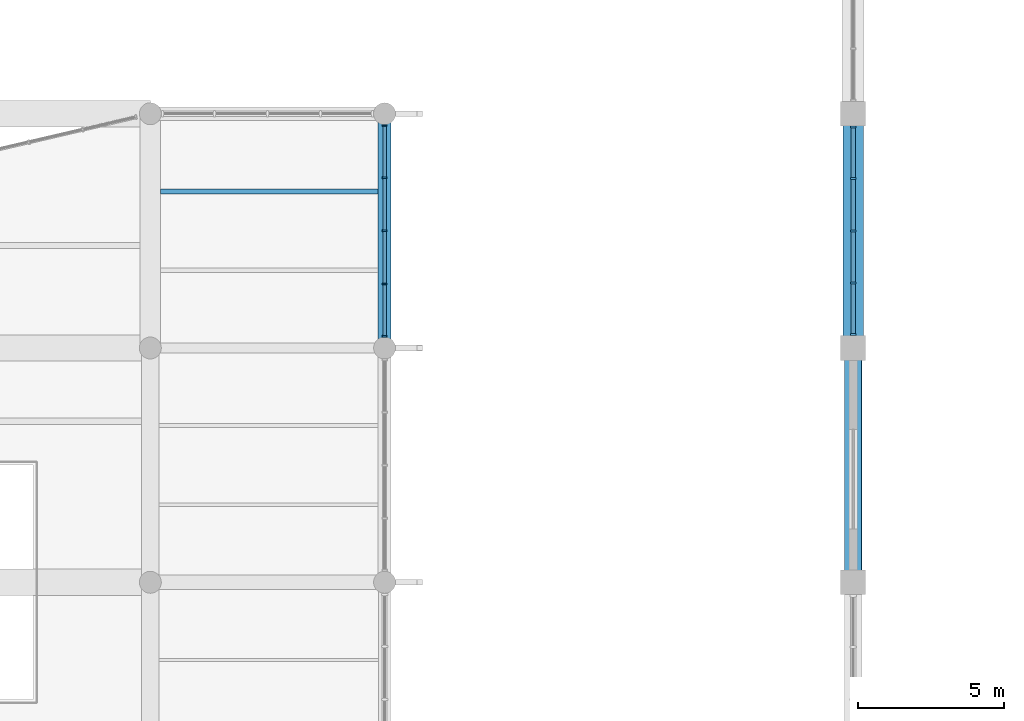
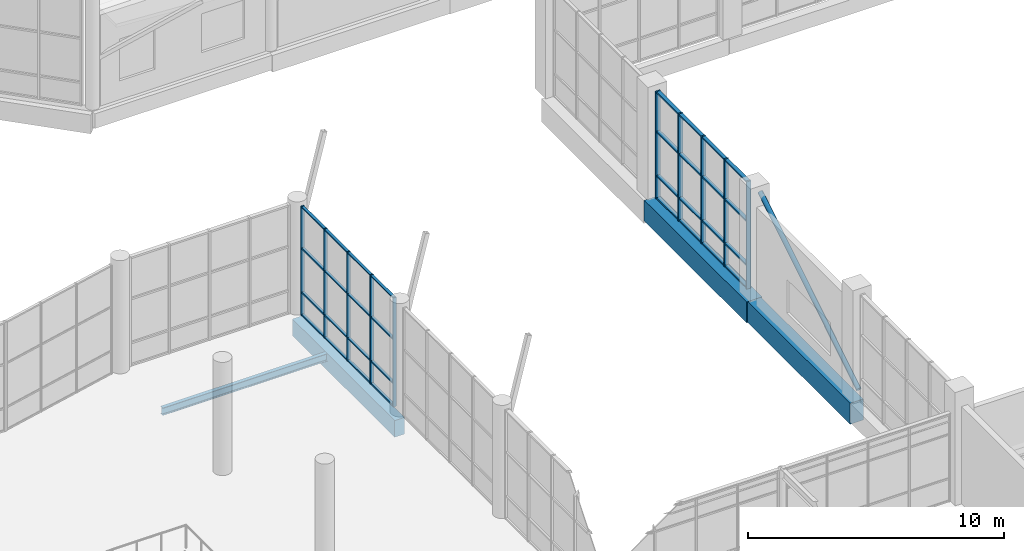
# One storey, part 31 of 122: 43 members, 4 beams, 2 elements without a shape of their own.
"""IFC4 building model written with IfcOpenShell, lengths in metres."""

from ifc_helpers import new_model, si_unit, direction, frame, origin, origin_2d, place, context, subcontext, project, spatial, rectangle, hollow_circle, i_section, extrude, material, material_profile, profile_set, type_object, element, aggregate, save


model = new_model("IFC4")

# Units and contexts
model_context = context("Model", 3, precision=1e-05, world=origin(), true_north=direction((0.0, 1.0)))
body_context = subcontext(model_context, "Body", "Model", "MODEL_VIEW")
ifc_project = project(units=[si_unit("LENGTHUNIT", "METRE"), si_unit("AREAUNIT", "SQUARE_METRE"), si_unit("VOLUMEUNIT", "CUBIC_METRE"), si_unit("PLANEANGLEUNIT", "RADIAN"), si_unit("MASSUNIT", "GRAM", prefix="KILO")], contexts=[model_context])

# Site, building, storey
site_placement = place(None, origin())
site = spatial("IfcSite", under=ifc_project, at=site_placement, CompositionType="ELEMENT")
building_placement = place(site_placement, origin())
building = spatial("IfcBuilding", under=site, at=building_placement, Name="Tenunan Teduh Sports Hall", CompositionType="ELEMENT")
storey_placement = place(building_placement, frame((0.0, 0.0, 5.39990234375)))
storey = spatial("IfcBuildingStorey", under=building, at=storey_placement, Name="L01", CompositionType="ELEMENT", Elevation=5.39990234375)

# Beams
ifc_material_1 = material(Name="Concrete C40/50", Category="concrete")
ifc_material_profile_1 = material_profile(ifc_material_1, rectangle(XDim=0.449951171875, YDim=0.800048828125, at=origin_2d()), Name="RCB 450x800")
ifc_profile_set_1 = profile_set([ifc_material_profile_1], Name="Concrete C40/50")
beam_type_1 = type_object("IfcBeamType", Name="BM-RC-450x800", PredefinedType="BEAM", material=ifc_profile_set_1)
beam_1_placement = place(storey_placement, frame((106.0, 62.0, -0.760009765625), z_axis=(0.0, 1.0, 0.0), x_axis=(-1.0, 0.0, 0.0)))
element("IfcBeam", 1, at=beam_1_placement, inside=storey, type_object=beam_type_1, Name="BM-B-12-L01-1255", PredefinedType="BEAM", context=body_context, shape_type="SweptSolid", body=[
    extrude(rectangle(XDim=0.449951171875, YDim=0.800048828125, at=origin_2d()), origin(), (0.0, 0.0, 1.0), 8.0),
])
ifc_material_2 = material(Name="Concrete C40/50", Category="concrete")
ifc_material_profile_2 = material_profile(ifc_material_2, rectangle(XDim=0.60009765625, YDim=1.0, at=origin_2d()), Name="RCB 600x1000")
ifc_profile_set_2 = profile_set([ifc_material_profile_2], Name="Concrete C40/50")
beam_type_2 = type_object("IfcBeamType", Name="BM-RC-600x1000", PredefinedType="BEAM", material=ifc_profile_set_2)
beam_2_placement = place(storey_placement, frame((122.0, 54.0, -0.760009765625), z_axis=(0.0, 1.0, 0.0), x_axis=(-1.0, 0.0, 0.0)))
element("IfcBeam", 2, at=beam_2_placement, inside=storey, type_object=beam_type_2, Name="BM-B-18-L01-1270", PredefinedType="BEAM", context=body_context, shape_type="SweptSolid", body=[
    extrude(rectangle(XDim=0.60009765625, YDim=1.0, at=origin_2d()), origin(), (0.0, 0.0, 1.0), 8.0),
])
ifc_material_3 = material(Name="Concrete C40/50", Category="concrete")
ifc_material_profile_3 = material_profile(ifc_material_3, rectangle(XDim=0.699951171875, YDim=1.0, at=origin_2d()), Name="RCB 700x1000")
ifc_profile_set_3 = profile_set([ifc_material_profile_3], Name="Concrete C40/50")
beam_type_3 = type_object("IfcBeamType", Name="BM-RC-700x1000", PredefinedType="SPANDREL", material=ifc_profile_set_3)
beam_3_placement = place(storey_placement, frame((122.0, 62.0, -0.760009765625), z_axis=(0.0, 1.0, 0.0), x_axis=(-1.0, 0.0, 0.0)))
element("IfcBeam", 3, at=beam_3_placement, inside=storey, type_object=beam_type_3, Name="BM-B-19-L01-1271", PredefinedType="SPANDREL", context=body_context, shape_type="SweptSolid", body=[
    extrude(rectangle(XDim=0.699951171875, YDim=1.0, at=origin_2d()), origin(), (0.0, 0.0, 1.0), 8.0),
])

# Curtain wall, members
ifc_material_4 = material(Name="Anodised aluminium", Category="aluminium")
curtain_wall_type = type_object("IfcCurtainWallType", Name="CW-UNIT-1", PredefinedType="NOTDEFINED", material=ifc_material_4)
curtain_wall_1_placement = place(storey_placement, origin())
curtain_wall_1 = element("IfcCurtainWall", 4, at=curtain_wall_1_placement, inside=storey, type_object=curtain_wall_type, Name="CW-CWM-150-L01-175", PredefinedType="NOTDEFINED")
ifc_material_5 = material(Name="Anodised aluminium", Category="aluminium")
ifc_material_profile_4 = material_profile(ifc_material_5, rectangle(XDim=0.06005859375, YDim=0.14990234375, at=origin_2d()), Name="CWM 60x150")
ifc_profile_set_4 = profile_set([ifc_material_profile_4], Name="Anodised aluminium")
member_type_1 = type_object("IfcMemberType", Name="CWM-150", PredefinedType="MULLION", material=ifc_profile_set_4)
member_1_placement = place(storey_placement, frame((106.0, 62.405029296875, 0.0), z_axis=(0.0, 0.0, 1.0), x_axis=(0.0, 1.0, 0.0)))
member_1 = element("IfcMember", 5, at=member_1_placement, type_object=member_type_1, Name="CW-01 mullion 1", PredefinedType="MULLION", context=body_context, shape_type="SweptSolid", body=[
    extrude(rectangle(XDim=0.06005859375, YDim=0.14990234375, at=origin_2d()), origin(), (0.0, 0.0, 1.0), 5.2001953125),
])
member_2_placement = place(storey_placement, frame((106.0, 64.1875, 0.0), z_axis=(0.0, 0.0, 1.0), x_axis=(0.0, 1.0, 0.0)))
member_2 = element("IfcMember", 6, at=member_2_placement, type_object=member_type_1, Name="CW-01 mullion 2", PredefinedType="MULLION", context=body_context, shape_type="SweptSolid", body=[
    extrude(rectangle(XDim=0.06005859375, YDim=0.14990234375, at=origin_2d()), origin(), (0.0, 0.0, 1.0), 5.2001953125),
])
member_3_placement = place(storey_placement, frame((106.0, 66.0, 0.0), z_axis=(0.0, 0.0, 1.0), x_axis=(0.0, 1.0, 0.0)))
member_3 = element("IfcMember", 7, at=member_3_placement, type_object=member_type_1, Name="CW-01 mullion 3", PredefinedType="MULLION", context=body_context, shape_type="SweptSolid", body=[
    extrude(rectangle(XDim=0.06005859375, YDim=0.14990234375, at=origin_2d()), origin(), (0.0, 0.0, 1.0), 5.2001953125),
])
member_4_placement = place(storey_placement, frame((106.0, 67.8125, 0.0), z_axis=(0.0, 0.0, 1.0), x_axis=(0.0, 1.0, 0.0)))
member_4 = element("IfcMember", 8, at=member_4_placement, type_object=member_type_1, Name="CW-01 mullion 4", PredefinedType="MULLION", context=body_context, shape_type="SweptSolid", body=[
    extrude(rectangle(XDim=0.06005859375, YDim=0.14990234375, at=origin_2d()), origin(), (0.0, 0.0, 1.0), 5.2001953125),
])
member_5_placement = place(storey_placement, frame((106.0, 69.594970703125, 0.0), z_axis=(0.0, 0.0, 1.0), x_axis=(0.0, 1.0, 0.0)))
member_5 = element("IfcMember", 9, at=member_5_placement, type_object=member_type_1, Name="CW-01 mullion 5", PredefinedType="MULLION", context=body_context, shape_type="SweptSolid", body=[
    extrude(rectangle(XDim=0.06005859375, YDim=0.14990234375, at=origin_2d()), origin(), (0.0, 0.0, 1.0), 5.2001953125),
])

curtain_wall_2_placement = place(storey_placement, origin())
curtain_wall_2 = element("IfcCurtainWall", 10, at=curtain_wall_2_placement, inside=storey, type_object=curtain_wall_type, Name="CW-CWM-200-L01-124", PredefinedType="NOTDEFINED")
ifc_material_6 = material(Name="Anodised aluminium", Category="aluminium")
ifc_material_profile_5 = material_profile(ifc_material_6, rectangle(XDim=0.070068359375, YDim=0.199951171875, at=origin_2d()), Name="CWM 70x200")
ifc_profile_set_5 = profile_set([ifc_material_profile_5], Name="Anodised aluminium")
member_type_2 = type_object("IfcMemberType", Name="CWM-200", PredefinedType="MULLION", material=ifc_profile_set_5)
member_6_placement = place(storey_placement, frame((122.0, 62.4599609375, 0.0), z_axis=(0.0, 0.0, 1.0), x_axis=(0.0, 1.0, 0.0)))
member_6 = element("IfcMember", 11, at=member_6_placement, type_object=member_type_2, Name="CW-01 mullion 1", PredefinedType="MULLION", context=body_context, shape_type="SweptSolid", body=[
    extrude(rectangle(XDim=0.070068359375, YDim=0.199951171875, at=origin_2d()), origin(), (0.0, 0.0, 1.0), 5.1201171875),
])
member_7_placement = place(storey_placement, frame((122.0, 64.21240234375, 0.0), z_axis=(0.0, 0.0, 1.0), x_axis=(0.0, 1.0, 0.0)))
member_7 = element("IfcMember", 12, at=member_7_placement, type_object=member_type_2, Name="CW-01 mullion 2", PredefinedType="MULLION", context=body_context, shape_type="SweptSolid", body=[
    extrude(rectangle(XDim=0.070068359375, YDim=0.199951171875, at=origin_2d()), origin(), (0.0, 0.0, 1.0), 5.1201171875),
])
member_8_placement = place(storey_placement, frame((122.0, 66.0, 0.0), z_axis=(0.0, 0.0, 1.0), x_axis=(0.0, 1.0, 0.0)))
member_8 = element("IfcMember", 13, at=member_8_placement, type_object=member_type_2, Name="CW-01 mullion 3", PredefinedType="MULLION", context=body_context, shape_type="SweptSolid", body=[
    extrude(rectangle(XDim=0.070068359375, YDim=0.199951171875, at=origin_2d()), origin(), (0.0, 0.0, 1.0), 5.1201171875),
])
member_9_placement = place(storey_placement, frame((122.0, 67.78759765625, 0.0), z_axis=(0.0, 0.0, 1.0), x_axis=(0.0, 1.0, 0.0)))
member_9 = element("IfcMember", 14, at=member_9_placement, type_object=member_type_2, Name="CW-01 mullion 4", PredefinedType="MULLION", context=body_context, shape_type="SweptSolid", body=[
    extrude(rectangle(XDim=0.070068359375, YDim=0.199951171875, at=origin_2d()), origin(), (0.0, 0.0, 1.0), 5.1201171875),
])
member_10_placement = place(storey_placement, frame((122.0, 69.5400390625, 0.0), z_axis=(0.0, 0.0, 1.0), x_axis=(0.0, 1.0, 0.0)))
member_10 = element("IfcMember", 15, at=member_10_placement, type_object=member_type_2, Name="CW-01 mullion 5", PredefinedType="MULLION", context=body_context, shape_type="SweptSolid", body=[
    extrude(rectangle(XDim=0.070068359375, YDim=0.199951171875, at=origin_2d()), origin(), (0.0, 0.0, 1.0), 5.1201171875),
])

# Member
ifc_material_7 = material(Name="Anodised aluminium", Category="aluminium")
ifc_material_profile_6 = material_profile(ifc_material_7, rectangle(XDim=0.06005859375, YDim=0.1201171875, at=origin_2d()), Name="CWT 60x120")
ifc_profile_set_6 = profile_set([ifc_material_profile_6], Name="Anodised aluminium")
member_type_3 = type_object("IfcMemberType", Name="CWT-125", PredefinedType="USERDEFINED", material=ifc_profile_set_6)
member_11_placement = place(storey_placement, frame((106.0, 62.43505859375, 0.030029296875), z_axis=(0.0, 1.0, 0.0), x_axis=(0.0, 0.0, 1.0)))
member_11 = element("IfcMember", 16, at=member_11_placement, type_object=member_type_3, Name="CW-01 transom 1.1", ObjectType="TRANSOM", PredefinedType="USERDEFINED", context=body_context, shape_type="SweptSolid", body=[
    extrude(rectangle(XDim=0.06005859375, YDim=0.1201171875, at=origin_2d()), origin(), (0.0, 0.0, 1.0), 1.722412109375),
])

member_12_placement = place(storey_placement, frame((106.0, 62.43505859375, 1.10009765625), z_axis=(0.0, 1.0, 0.0), x_axis=(0.0, 0.0, 1.0)))
member_12 = element("IfcMember", 17, at=member_12_placement, type_object=member_type_3, Name="CW-01 transom 1.2", ObjectType="TRANSOM", PredefinedType="USERDEFINED", context=body_context, shape_type="SweptSolid", body=[
    extrude(rectangle(XDim=0.06005859375, YDim=0.1201171875, at=origin_2d()), origin(), (0.0, 0.0, 1.0), 1.722412109375),
])

member_13_placement = place(storey_placement, frame((106.0, 62.43505859375, 3.2001953125), z_axis=(0.0, 1.0, 0.0), x_axis=(0.0, 0.0, 1.0)))
member_13 = element("IfcMember", 18, at=member_13_placement, type_object=member_type_3, Name="CW-01 transom 1.3", ObjectType="TRANSOM", PredefinedType="USERDEFINED", context=body_context, shape_type="SweptSolid", body=[
    extrude(rectangle(XDim=0.06005859375, YDim=0.1201171875, at=origin_2d()), origin(), (0.0, 0.0, 1.0), 1.722412109375),
])

member_14_placement = place(storey_placement, frame((106.0, 62.43505859375, 5.170166015625), z_axis=(0.0, 1.0, 0.0), x_axis=(0.0, 0.0, 1.0)))
member_14 = element("IfcMember", 19, at=member_14_placement, type_object=member_type_3, Name="CW-01 transom 1.4", ObjectType="TRANSOM", PredefinedType="USERDEFINED", context=body_context, shape_type="SweptSolid", body=[
    extrude(rectangle(XDim=0.06005859375, YDim=0.1201171875, at=origin_2d()), origin(), (0.0, 0.0, 1.0), 1.722412109375),
])

member_15_placement = place(storey_placement, frame((106.0, 64.217529296875, 0.030029296875), z_axis=(0.0, 1.0, 0.0), x_axis=(0.0, 0.0, 1.0)))
member_15 = element("IfcMember", 20, at=member_15_placement, type_object=member_type_3, Name="CW-01 transom 2.1", ObjectType="TRANSOM", PredefinedType="USERDEFINED", context=body_context, shape_type="SweptSolid", body=[
    extrude(rectangle(XDim=0.06005859375, YDim=0.1201171875, at=origin_2d()), origin(), (0.0, 0.0, 1.0), 1.75244140625),
])

member_16_placement = place(storey_placement, frame((106.0, 64.217529296875, 1.10009765625), z_axis=(0.0, 1.0, 0.0), x_axis=(0.0, 0.0, 1.0)))
member_16 = element("IfcMember", 21, at=member_16_placement, type_object=member_type_3, Name="CW-01 transom 2.2", ObjectType="TRANSOM", PredefinedType="USERDEFINED", context=body_context, shape_type="SweptSolid", body=[
    extrude(rectangle(XDim=0.06005859375, YDim=0.1201171875, at=origin_2d()), origin(), (0.0, 0.0, 1.0), 1.75244140625),
])

member_17_placement = place(storey_placement, frame((106.0, 64.217529296875, 3.2001953125), z_axis=(0.0, 1.0, 0.0), x_axis=(0.0, 0.0, 1.0)))
member_17 = element("IfcMember", 22, at=member_17_placement, type_object=member_type_3, Name="CW-01 transom 2.3", ObjectType="TRANSOM", PredefinedType="USERDEFINED", context=body_context, shape_type="SweptSolid", body=[
    extrude(rectangle(XDim=0.06005859375, YDim=0.1201171875, at=origin_2d()), origin(), (0.0, 0.0, 1.0), 1.75244140625),
])

member_18_placement = place(storey_placement, frame((106.0, 64.217529296875, 5.170166015625), z_axis=(0.0, 1.0, 0.0), x_axis=(0.0, 0.0, 1.0)))
member_18 = element("IfcMember", 23, at=member_18_placement, type_object=member_type_3, Name="CW-01 transom 2.4", ObjectType="TRANSOM", PredefinedType="USERDEFINED", context=body_context, shape_type="SweptSolid", body=[
    extrude(rectangle(XDim=0.06005859375, YDim=0.1201171875, at=origin_2d()), origin(), (0.0, 0.0, 1.0), 1.75244140625),
])

member_19_placement = place(storey_placement, frame((106.0, 66.030029296875, 0.030029296875), z_axis=(0.0, 1.0, 0.0), x_axis=(0.0, 0.0, 1.0)))
member_19 = element("IfcMember", 24, at=member_19_placement, type_object=member_type_3, Name="CW-01 transom 3.1", ObjectType="TRANSOM", PredefinedType="USERDEFINED", context=body_context, shape_type="SweptSolid", body=[
    extrude(rectangle(XDim=0.06005859375, YDim=0.1201171875, at=origin_2d()), origin(), (0.0, 0.0, 1.0), 1.75244140625),
])

member_20_placement = place(storey_placement, frame((106.0, 66.030029296875, 1.10009765625), z_axis=(0.0, 1.0, 0.0), x_axis=(0.0, 0.0, 1.0)))
member_20 = element("IfcMember", 25, at=member_20_placement, type_object=member_type_3, Name="CW-01 transom 3.2", ObjectType="TRANSOM", PredefinedType="USERDEFINED", context=body_context, shape_type="SweptSolid", body=[
    extrude(rectangle(XDim=0.06005859375, YDim=0.1201171875, at=origin_2d()), origin(), (0.0, 0.0, 1.0), 1.75244140625),
])

member_21_placement = place(storey_placement, frame((106.0, 66.030029296875, 3.2001953125), z_axis=(0.0, 1.0, 0.0), x_axis=(0.0, 0.0, 1.0)))
member_21 = element("IfcMember", 26, at=member_21_placement, type_object=member_type_3, Name="CW-01 transom 3.3", ObjectType="TRANSOM", PredefinedType="USERDEFINED", context=body_context, shape_type="SweptSolid", body=[
    extrude(rectangle(XDim=0.06005859375, YDim=0.1201171875, at=origin_2d()), origin(), (0.0, 0.0, 1.0), 1.75244140625),
])

member_22_placement = place(storey_placement, frame((106.0, 66.030029296875, 5.170166015625), z_axis=(0.0, 1.0, 0.0), x_axis=(0.0, 0.0, 1.0)))
member_22 = element("IfcMember", 27, at=member_22_placement, type_object=member_type_3, Name="CW-01 transom 3.4", ObjectType="TRANSOM", PredefinedType="USERDEFINED", context=body_context, shape_type="SweptSolid", body=[
    extrude(rectangle(XDim=0.06005859375, YDim=0.1201171875, at=origin_2d()), origin(), (0.0, 0.0, 1.0), 1.75244140625),
])

member_23_placement = place(storey_placement, frame((106.0, 67.842529296875, 0.030029296875), z_axis=(0.0, 1.0, 0.0), x_axis=(0.0, 0.0, 1.0)))
member_23 = element("IfcMember", 28, at=member_23_placement, type_object=member_type_3, Name="CW-01 transom 4.1", ObjectType="TRANSOM", PredefinedType="USERDEFINED", context=body_context, shape_type="SweptSolid", body=[
    extrude(rectangle(XDim=0.06005859375, YDim=0.1201171875, at=origin_2d()), origin(), (0.0, 0.0, 1.0), 1.722412109375),
])

member_24_placement = place(storey_placement, frame((106.0, 67.842529296875, 1.10009765625), z_axis=(0.0, 1.0, 0.0), x_axis=(0.0, 0.0, 1.0)))
member_24 = element("IfcMember", 29, at=member_24_placement, type_object=member_type_3, Name="CW-01 transom 4.2", ObjectType="TRANSOM", PredefinedType="USERDEFINED", context=body_context, shape_type="SweptSolid", body=[
    extrude(rectangle(XDim=0.06005859375, YDim=0.1201171875, at=origin_2d()), origin(), (0.0, 0.0, 1.0), 1.722412109375),
])

member_25_placement = place(storey_placement, frame((106.0, 67.842529296875, 3.2001953125), z_axis=(0.0, 1.0, 0.0), x_axis=(0.0, 0.0, 1.0)))
member_25 = element("IfcMember", 30, at=member_25_placement, type_object=member_type_3, Name="CW-01 transom 4.3", ObjectType="TRANSOM", PredefinedType="USERDEFINED", context=body_context, shape_type="SweptSolid", body=[
    extrude(rectangle(XDim=0.06005859375, YDim=0.1201171875, at=origin_2d()), origin(), (0.0, 0.0, 1.0), 1.722412109375),
])

member_26_placement = place(storey_placement, frame((106.0, 67.842529296875, 5.170166015625), z_axis=(0.0, 1.0, 0.0), x_axis=(0.0, 0.0, 1.0)))
member_26 = element("IfcMember", 31, at=member_26_placement, type_object=member_type_3, Name="CW-01 transom 4.4", ObjectType="TRANSOM", PredefinedType="USERDEFINED", context=body_context, shape_type="SweptSolid", body=[
    extrude(rectangle(XDim=0.06005859375, YDim=0.1201171875, at=origin_2d()), origin(), (0.0, 0.0, 1.0), 1.722412109375),
])

aggregate(curtain_wall_1, [member_1, member_2, member_3, member_4, member_5, member_11, member_12, member_13, member_14, member_15, member_16, member_17, member_18, member_19, member_20, member_21, member_22, member_23, member_24, member_25, member_26])

ifc_material_8 = material(Name="Anodised aluminium", Category="aluminium")
ifc_material_profile_7 = material_profile(ifc_material_8, rectangle(XDim=0.070068359375, YDim=0.159912109375, at=origin_2d()), Name="CWT 70x160")
ifc_profile_set_7 = profile_set([ifc_material_profile_7], Name="Anodised aluminium")
member_type_4 = type_object("IfcMemberType", Name="CWT-200", PredefinedType="USERDEFINED", material=ifc_profile_set_7)
member_27_placement = place(storey_placement, frame((122.0, 62.4951171875, 0.03515625), z_axis=(0.0, 1.0, 0.0), x_axis=(0.0, 0.0, 1.0)))
member_27 = element("IfcMember", 32, at=member_27_placement, type_object=member_type_4, Name="CW-01 transom 1.1", ObjectType="TRANSOM", PredefinedType="USERDEFINED", context=body_context, shape_type="SweptSolid", body=[
    extrude(rectangle(XDim=0.070068359375, YDim=0.159912109375, at=origin_2d()), origin(), (0.0, 0.0, 1.0), 1.682373046875),
])

member_28_placement = place(storey_placement, frame((122.0, 62.4951171875, 1.10009765625), z_axis=(0.0, 1.0, 0.0), x_axis=(0.0, 0.0, 1.0)))
member_28 = element("IfcMember", 33, at=member_28_placement, type_object=member_type_4, Name="CW-01 transom 1.2", ObjectType="TRANSOM", PredefinedType="USERDEFINED", context=body_context, shape_type="SweptSolid", body=[
    extrude(rectangle(XDim=0.070068359375, YDim=0.159912109375, at=origin_2d()), origin(), (0.0, 0.0, 1.0), 1.682373046875),
])

member_29_placement = place(storey_placement, frame((122.0, 62.4951171875, 3.2001953125), z_axis=(0.0, 1.0, 0.0), x_axis=(0.0, 0.0, 1.0)))
member_29 = element("IfcMember", 34, at=member_29_placement, type_object=member_type_4, Name="CW-01 transom 1.3", ObjectType="TRANSOM", PredefinedType="USERDEFINED", context=body_context, shape_type="SweptSolid", body=[
    extrude(rectangle(XDim=0.070068359375, YDim=0.159912109375, at=origin_2d()), origin(), (0.0, 0.0, 1.0), 1.682373046875),
])

member_30_placement = place(storey_placement, frame((122.0, 62.4951171875, 5.085205078125), z_axis=(0.0, 1.0, 0.0), x_axis=(0.0, 0.0, 1.0)))
member_30 = element("IfcMember", 35, at=member_30_placement, type_object=member_type_4, Name="CW-01 transom 1.4", ObjectType="TRANSOM", PredefinedType="USERDEFINED", context=body_context, shape_type="SweptSolid", body=[
    extrude(rectangle(XDim=0.070068359375, YDim=0.159912109375, at=origin_2d()), origin(), (0.0, 0.0, 1.0), 1.682373046875),
])

member_31_placement = place(storey_placement, frame((122.0, 64.24755859375, 0.03515625), z_axis=(0.0, 1.0, 0.0), x_axis=(0.0, 0.0, 1.0)))
member_31 = element("IfcMember", 36, at=member_31_placement, type_object=member_type_4, Name="CW-01 transom 2.1", ObjectType="TRANSOM", PredefinedType="USERDEFINED", context=body_context, shape_type="SweptSolid", body=[
    extrude(rectangle(XDim=0.070068359375, YDim=0.159912109375, at=origin_2d()), origin(), (0.0, 0.0, 1.0), 1.717529296875),
])

member_32_placement = place(storey_placement, frame((122.0, 64.24755859375, 1.10009765625), z_axis=(0.0, 1.0, 0.0), x_axis=(0.0, 0.0, 1.0)))
member_32 = element("IfcMember", 37, at=member_32_placement, type_object=member_type_4, Name="CW-01 transom 2.2", ObjectType="TRANSOM", PredefinedType="USERDEFINED", context=body_context, shape_type="SweptSolid", body=[
    extrude(rectangle(XDim=0.070068359375, YDim=0.159912109375, at=origin_2d()), origin(), (0.0, 0.0, 1.0), 1.717529296875),
])

member_33_placement = place(storey_placement, frame((122.0, 64.24755859375, 3.2001953125), z_axis=(0.0, 1.0, 0.0), x_axis=(0.0, 0.0, 1.0)))
member_33 = element("IfcMember", 38, at=member_33_placement, type_object=member_type_4, Name="CW-01 transom 2.3", ObjectType="TRANSOM", PredefinedType="USERDEFINED", context=body_context, shape_type="SweptSolid", body=[
    extrude(rectangle(XDim=0.070068359375, YDim=0.159912109375, at=origin_2d()), origin(), (0.0, 0.0, 1.0), 1.717529296875),
])

member_34_placement = place(storey_placement, frame((122.0, 64.24755859375, 5.085205078125), z_axis=(0.0, 1.0, 0.0), x_axis=(0.0, 0.0, 1.0)))
member_34 = element("IfcMember", 39, at=member_34_placement, type_object=member_type_4, Name="CW-01 transom 2.4", ObjectType="TRANSOM", PredefinedType="USERDEFINED", context=body_context, shape_type="SweptSolid", body=[
    extrude(rectangle(XDim=0.070068359375, YDim=0.159912109375, at=origin_2d()), origin(), (0.0, 0.0, 1.0), 1.717529296875),
])

member_35_placement = place(storey_placement, frame((122.0, 66.034912109375, 0.03515625), z_axis=(0.0, 1.0, 0.0), x_axis=(0.0, 0.0, 1.0)))
member_35 = element("IfcMember", 40, at=member_35_placement, type_object=member_type_4, Name="CW-01 transom 3.1", ObjectType="TRANSOM", PredefinedType="USERDEFINED", context=body_context, shape_type="SweptSolid", body=[
    extrude(rectangle(XDim=0.070068359375, YDim=0.159912109375, at=origin_2d()), origin(), (0.0, 0.0, 1.0), 1.717529296875),
])

member_36_placement = place(storey_placement, frame((122.0, 66.034912109375, 1.10009765625), z_axis=(0.0, 1.0, 0.0), x_axis=(0.0, 0.0, 1.0)))
member_36 = element("IfcMember", 41, at=member_36_placement, type_object=member_type_4, Name="CW-01 transom 3.2", ObjectType="TRANSOM", PredefinedType="USERDEFINED", context=body_context, shape_type="SweptSolid", body=[
    extrude(rectangle(XDim=0.070068359375, YDim=0.159912109375, at=origin_2d()), origin(), (0.0, 0.0, 1.0), 1.717529296875),
])

member_37_placement = place(storey_placement, frame((122.0, 66.034912109375, 3.2001953125), z_axis=(0.0, 1.0, 0.0), x_axis=(0.0, 0.0, 1.0)))
member_37 = element("IfcMember", 42, at=member_37_placement, type_object=member_type_4, Name="CW-01 transom 3.3", ObjectType="TRANSOM", PredefinedType="USERDEFINED", context=body_context, shape_type="SweptSolid", body=[
    extrude(rectangle(XDim=0.070068359375, YDim=0.159912109375, at=origin_2d()), origin(), (0.0, 0.0, 1.0), 1.717529296875),
])

member_38_placement = place(storey_placement, frame((122.0, 66.034912109375, 5.085205078125), z_axis=(0.0, 1.0, 0.0), x_axis=(0.0, 0.0, 1.0)))
member_38 = element("IfcMember", 43, at=member_38_placement, type_object=member_type_4, Name="CW-01 transom 3.4", ObjectType="TRANSOM", PredefinedType="USERDEFINED", context=body_context, shape_type="SweptSolid", body=[
    extrude(rectangle(XDim=0.070068359375, YDim=0.159912109375, at=origin_2d()), origin(), (0.0, 0.0, 1.0), 1.717529296875),
])

member_39_placement = place(storey_placement, frame((122.0, 67.822509765625, 0.03515625), z_axis=(0.0, 1.0, 0.0), x_axis=(0.0, 0.0, 1.0)))
member_39 = element("IfcMember", 44, at=member_39_placement, type_object=member_type_4, Name="CW-01 transom 4.1", ObjectType="TRANSOM", PredefinedType="USERDEFINED", context=body_context, shape_type="SweptSolid", body=[
    extrude(rectangle(XDim=0.070068359375, YDim=0.159912109375, at=origin_2d()), origin(), (0.0, 0.0, 1.0), 1.682373046875),
])

member_40_placement = place(storey_placement, frame((122.0, 67.822509765625, 1.10009765625), z_axis=(0.0, 1.0, 0.0), x_axis=(0.0, 0.0, 1.0)))
member_40 = element("IfcMember", 45, at=member_40_placement, type_object=member_type_4, Name="CW-01 transom 4.2", ObjectType="TRANSOM", PredefinedType="USERDEFINED", context=body_context, shape_type="SweptSolid", body=[
    extrude(rectangle(XDim=0.070068359375, YDim=0.159912109375, at=origin_2d()), origin(), (0.0, 0.0, 1.0), 1.682373046875),
])

member_41_placement = place(storey_placement, frame((122.0, 67.822509765625, 3.2001953125), z_axis=(0.0, 1.0, 0.0), x_axis=(0.0, 0.0, 1.0)))
member_41 = element("IfcMember", 46, at=member_41_placement, type_object=member_type_4, Name="CW-01 transom 4.3", ObjectType="TRANSOM", PredefinedType="USERDEFINED", context=body_context, shape_type="SweptSolid", body=[
    extrude(rectangle(XDim=0.070068359375, YDim=0.159912109375, at=origin_2d()), origin(), (0.0, 0.0, 1.0), 1.682373046875),
])

member_42_placement = place(storey_placement, frame((122.0, 67.822509765625, 5.085205078125), z_axis=(0.0, 1.0, 0.0), x_axis=(0.0, 0.0, 1.0)))
member_42 = element("IfcMember", 47, at=member_42_placement, type_object=member_type_4, Name="CW-01 transom 4.4", ObjectType="TRANSOM", PredefinedType="USERDEFINED", context=body_context, shape_type="SweptSolid", body=[
    extrude(rectangle(XDim=0.070068359375, YDim=0.159912109375, at=origin_2d()), origin(), (0.0, 0.0, 1.0), 1.682373046875),
])

aggregate(curtain_wall_2, [member_6, member_7, member_8, member_9, member_10, member_27, member_28, member_29, member_30, member_31, member_32, member_33, member_34, member_35, member_36, member_37, member_38, member_39, member_40, member_41, member_42])

# Beam
ifc_material_9 = material(Name="Steel S355", Category="steel")
ifc_material_profile_8 = material_profile(ifc_material_9, i_section(OverallWidth=0.169921875, OverallDepth=0.360107421875, WebThickness=0.008056640625, FlangeThickness=0.0126953125, FilletRadius=0.01806640625, at=origin_2d()), Name="IPE 360")
ifc_profile_set_8 = profile_set([ifc_material_profile_8], Name="Steel S355")
beam_type_4 = type_object("IfcBeamType", Name="JST-IPE360", PredefinedType="JOIST", material=ifc_profile_set_8)
beam_4_placement = place(storey_placement, frame((98.35009765625, 67.35009765625, -0.539794921875), z_axis=(1.0, 0.0, 0.0), x_axis=(0.0, 1.0, 0.0)))
element("IfcBeam", 48, at=beam_4_placement, inside=storey, type_object=beam_type_4, Name="BM-J-05-L01-1389", PredefinedType="JOIST", context=body_context, shape_type="SweptSolid", body=[
    extrude(i_section(OverallWidth=0.169921875, OverallDepth=0.360107421875, WebThickness=0.008056640625, FlangeThickness=0.0126953125, FilletRadius=0.01806640625, at=origin_2d()), origin(), (0.0, 0.0, 1.0), 7.4248046875),
])

# Member
ifc_material_10 = material(Name="Steel S355", Category="steel")
ifc_material_profile_9 = material_profile(ifc_material_10, hollow_circle(Radius=0.109619140625, WallThickness=0.010009765625, at=origin_2d()), Name="CHS 219.1x10.0")
ifc_profile_set_9 = profile_set([ifc_material_profile_9], Name="Steel S355")
member_type_5 = type_object("IfcMemberType", Name="MEM-BR-CHS219", PredefinedType="BRACE", material=ifc_profile_set_9)
member_43_placement = place(storey_placement, frame((122.179931640625, 54.14990234375, 0.150146484375), z_axis=(0.0, 0.851094506608, 0.525012514919), x_axis=(-1.0, 0.0, 0.0)))
element("IfcMember", 49, at=member_43_placement, inside=storey, type_object=member_type_5, Name="MEM-GD-02-L01-1461", PredefinedType="BRACE", context=body_context, shape_type="SweptSolid", body=[
    extrude(hollow_circle(Radius=0.109619140625, WallThickness=0.010009765625, at=origin_2d()), origin(), (0.0, 0.0, 1.0), 9.04736328125),
])

save(model, "model.ifc")
